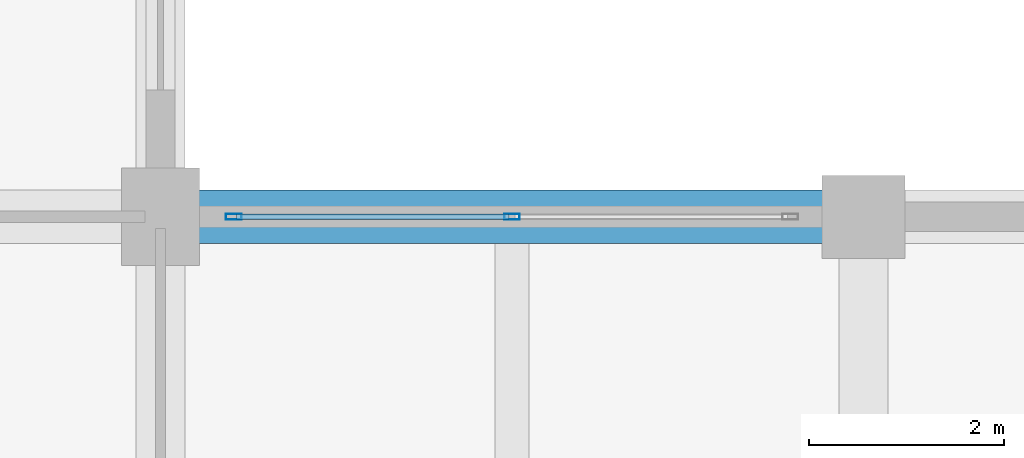
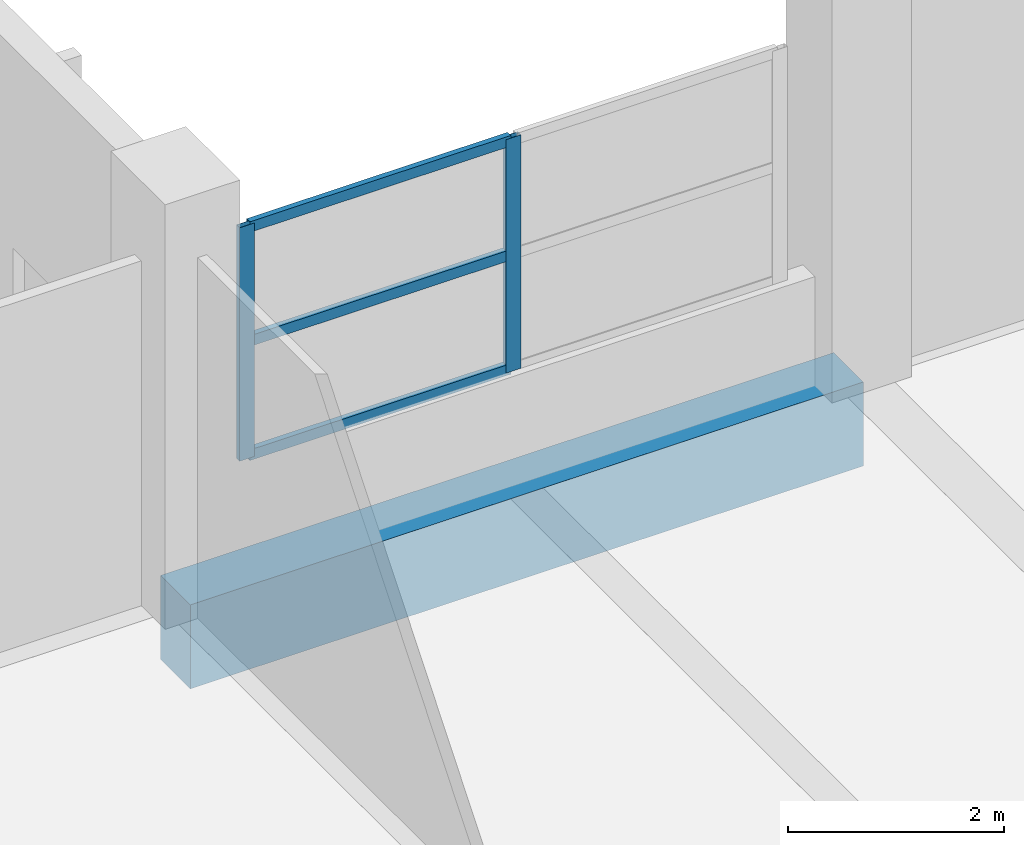
# One storey, part 11 of 181: 5 members, 1 beam, 1 element without a shape of its own.
"""IFC4 building model written with IfcOpenShell, lengths in metres."""

from ifc_helpers import new_model, si_unit, direction, frame, origin, origin_2d, place, context, subcontext, project, spatial, rectangle, hollow_rectangle, extrude, material, layer, layer_set, material_profile, profile_set, type_object, element, aggregate, save


model = new_model("IFC4")

# Units and contexts
model_context = context("Model", 3, precision=1e-05, world=origin(), true_north=direction((0.0, 1.0)))
body_context = subcontext(model_context, "Body", "Model", "MODEL_VIEW")
ifc_project = project(units=[si_unit("LENGTHUNIT", "METRE"), si_unit("AREAUNIT", "SQUARE_METRE"), si_unit("VOLUMEUNIT", "CUBIC_METRE"), si_unit("PLANEANGLEUNIT", "RADIAN"), si_unit("MASSUNIT", "GRAM", prefix="KILO")], contexts=[model_context])

# Site, building, storey
site_placement = place(None, origin())
site = spatial("IfcSite", under=ifc_project, at=site_placement, CompositionType="ELEMENT")
building_placement = place(site_placement, origin())
building = spatial("IfcBuilding", under=site, at=building_placement, Name="Seraya Terrace Polytechnic", CompositionType="ELEMENT")
storey_placement = place(building_placement, frame((0.0, 0.0, 4.800048828125)))
storey = spatial("IfcBuildingStorey", under=building, at=storey_placement, Name="L01", CompositionType="ELEMENT", Elevation=4.800048828125)

# Beam
ifc_material_1 = material(Name="Concrete C40/50", Category="concrete")
ifc_material_profile_1 = material_profile(ifc_material_1, rectangle(XDim=0.550048828125, YDim=0.949951171875, at=origin_2d()), Name="RC 550x950")
ifc_profile_set_1 = profile_set([ifc_material_profile_1], Name="Concrete C40/50")
beam_type = type_object("IfcBeamType", Name="BM-03", PredefinedType="BEAM", material=ifc_profile_set_1)
beam_placement = place(storey_placement, frame((43.199951171875, 28.800048828125, -0.47509765625), z_axis=(1.0, 0.0, 0.0), x_axis=(0.0, 1.0, 0.0)))
element("IfcBeam", 1, at=beam_placement, inside=storey, type_object=beam_type, Name="Beam BM-03 L01 X (43.2..50.4, 28.8)", PredefinedType="BEAM", context=body_context, shape_type="SweptSolid", body=[
    extrude(rectangle(XDim=0.550048828125, YDim=0.949951171875, at=origin_2d()), origin(), (0.0, 0.0, 1.0), 7.199951171875),
])

# Curtain wall, members
ifc_material_2 = material(Name="Anodised aluminium EN AW-6063 T6", Category="aluminium")
ifc_layer = layer(ifc_material_2, 0.179931640625, Name="CW-02")
ifc_layer_set = layer_set([ifc_layer], Name="Anodised aluminium EN AW-6063 T6")
curtain_wall_type = type_object("IfcCurtainWallType", Name="CW-02", PredefinedType="NOTDEFINED", material=ifc_layer_set)
curtain_wall_placement = place(storey_placement, origin())
curtain_wall = element("IfcCurtainWall", 2, at=curtain_wall_placement, inside=storey, type_object=curtain_wall_type, Name="Unitised curtain wall CW-02 (CW-L01-038)", PredefinedType="NOTDEFINED")
ifc_material_profile_2 = material_profile(ifc_material_2, hollow_rectangle(XDim=0.06005859375, YDim=0.159912109375, WallThickness=0.00341796875, at=origin_2d()), Name="RHS 160x60x3.5")
ifc_profile_set_2 = profile_set([ifc_material_profile_2], Name="Anodised aluminium EN AW-6063 T6")
member_type_1 = type_object("IfcMemberType", Name="CWM-02", PredefinedType="MULLION", material=ifc_profile_set_2)
member_1_placement = place(storey_placement, frame((43.949951171875, 28.800048828125, 1.239990234375), z_axis=(0.0, 0.0, 1.0), x_axis=(0.0, 1.0, 0.0)))
member_1 = element("IfcMember", 3, at=member_1_placement, type_object=member_type_1, Name="CW-02 mullion 1", PredefinedType="MULLION", context=body_context, shape_type="SweptSolid", body=[
    extrude(hollow_rectangle(XDim=0.06005859375, YDim=0.159912109375, WallThickness=0.00341796875, at=origin_2d()), origin(), (0.0, 0.0, 1.0), 2.639892578125),
])
member_2_placement = place(storey_placement, frame((46.800048828125, 28.800048828125, 1.239990234375), z_axis=(0.0, 0.0, 1.0), x_axis=(0.0, 1.0, 0.0)))
member_2 = element("IfcMember", 4, at=member_2_placement, type_object=member_type_1, Name="CW-02 mullion 2", PredefinedType="MULLION", context=body_context, shape_type="SweptSolid", body=[
    extrude(hollow_rectangle(XDim=0.06005859375, YDim=0.159912109375, WallThickness=0.00341796875, at=origin_2d()), origin(), (0.0, 0.0, 1.0), 2.639892578125),
])
ifc_material_profile_3 = material_profile(ifc_material_2, hollow_rectangle(XDim=0.06005859375, YDim=0.1201171875, WallThickness=0.003173828125, at=origin_2d()), Name="RHS 120x60x3.2")
ifc_profile_set_3 = profile_set([ifc_material_profile_3], Name="Anodised aluminium EN AW-6063 T6")
member_type_2 = type_object("IfcMemberType", Name="CWT-02", PredefinedType="USERDEFINED", material=ifc_profile_set_3)
member_3_placement = place(storey_placement, frame((43.97998046875, 28.800048828125, 1.27001953125), z_axis=(1.0, 0.0, 0.0), x_axis=(0.0, 1.0, 0.0)))
member_3 = element("IfcMember", 5, at=member_3_placement, type_object=member_type_2, Name="CW-02 transom 1.1", ObjectType="TRANSOM", PredefinedType="USERDEFINED", context=body_context, shape_type="SweptSolid", body=[
    extrude(hollow_rectangle(XDim=0.06005859375, YDim=0.1201171875, WallThickness=0.003173828125, at=origin_2d()), origin(), (0.0, 0.0, 1.0), 2.7900390625),
])
member_4_placement = place(storey_placement, frame((43.97998046875, 28.800048828125, 2.56005859375), z_axis=(1.0, 0.0, 0.0), x_axis=(0.0, 1.0, 0.0)))
member_4 = element("IfcMember", 6, at=member_4_placement, type_object=member_type_2, Name="CW-02 transom 1.2", ObjectType="TRANSOM", PredefinedType="USERDEFINED", context=body_context, shape_type="SweptSolid", body=[
    extrude(hollow_rectangle(XDim=0.06005859375, YDim=0.1201171875, WallThickness=0.003173828125, at=origin_2d()), origin(), (0.0, 0.0, 1.0), 2.7900390625),
])
member_5_placement = place(storey_placement, frame((43.97998046875, 28.800048828125, 3.849853515625), z_axis=(1.0, 0.0, 0.0), x_axis=(0.0, 1.0, 0.0)))
member_5 = element("IfcMember", 7, at=member_5_placement, type_object=member_type_2, Name="CW-02 transom 1.3", ObjectType="TRANSOM", PredefinedType="USERDEFINED", context=body_context, shape_type="SweptSolid", body=[
    extrude(hollow_rectangle(XDim=0.06005859375, YDim=0.1201171875, WallThickness=0.003173828125, at=origin_2d()), origin(), (0.0, 0.0, 1.0), 2.7900390625),
])
aggregate(curtain_wall, [member_1, member_2, member_3, member_4, member_5])

save(model, "model.ifc")
